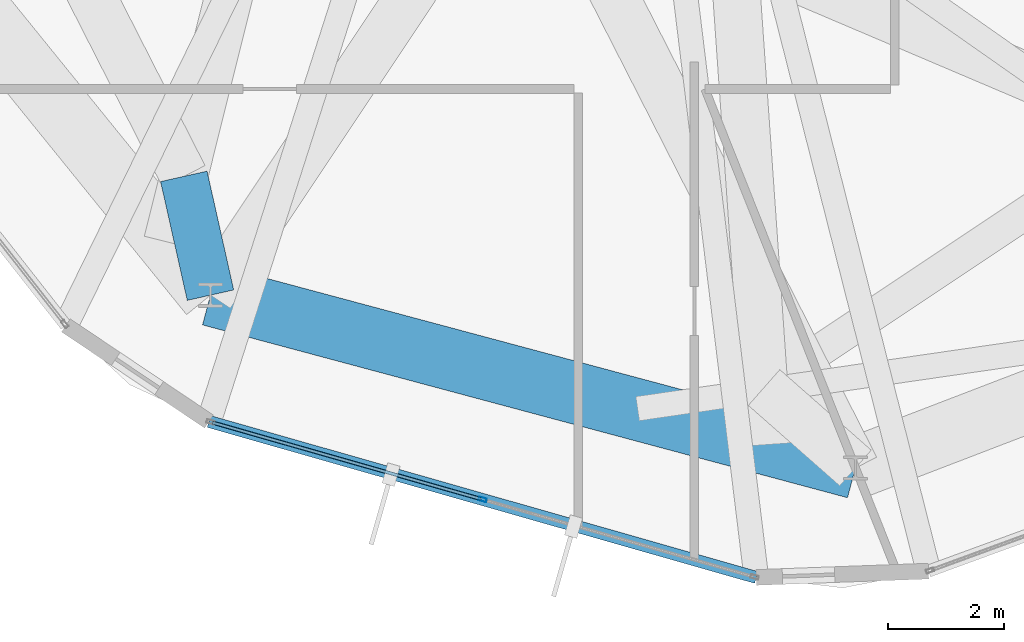
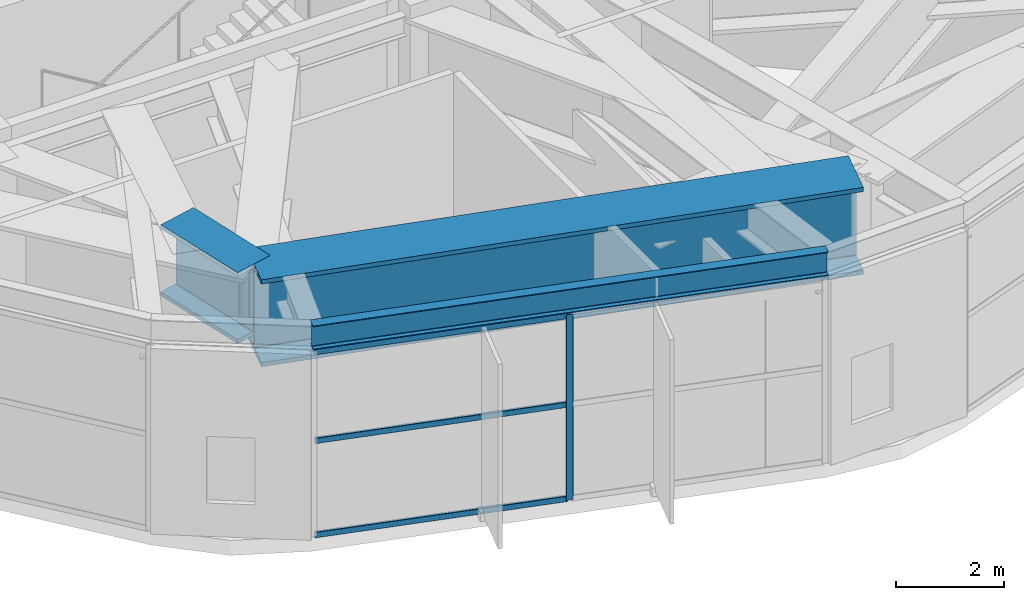
# One storey, part 3 of 30: 4 members, 3 beams, 1 element without a shape of its own.
"""IFC4 building model written with IfcOpenShell, lengths in metres."""

from ifc_helpers import new_model, si_unit, direction, frame, origin, origin_2d, place, context, subcontext, project, spatial, hollow_rectangle, i_section, extrude, material, layer, layer_set, material_profile, profile_set, type_object, element, aggregate, save


model = new_model("IFC4")

# Units and contexts
model_context = context("Model", 3, precision=1e-05, world=origin(), true_north=direction((0.0, 1.0)))
body_context = subcontext(model_context, "Body", "Model", "MODEL_VIEW")
ifc_project = project(units=[si_unit("LENGTHUNIT", "METRE"), si_unit("AREAUNIT", "SQUARE_METRE"), si_unit("VOLUMEUNIT", "CUBIC_METRE"), si_unit("PLANEANGLEUNIT", "RADIAN"), si_unit("MASSUNIT", "GRAM", prefix="KILO")], contexts=[model_context])

# Site, building, storey
site_placement = place(None, origin())
site = spatial("IfcSite", under=ifc_project, at=site_placement, CompositionType="ELEMENT")
building_placement = place(site_placement, origin())
building = spatial("IfcBuilding", under=site, at=building_placement, Name="Soratama Intermodal Tower", CompositionType="ELEMENT")
storey_placement = place(building_placement, frame((0.0, 0.0, 237.39990234375)))
storey = spatial("IfcBuildingStorey", under=building, at=storey_placement, Name="L60", CompositionType="ELEMENT", Elevation=237.39990234375)

# Beams
ifc_material_1 = material(Name="Structural steel ASTM A992 Grade 50", Category="steel")
ifc_material_profile_1 = material_profile(ifc_material_1, i_section(OverallWidth=0.2099609375, OverallDepth=0.537109375, WebThickness=0.010986328125, FlangeThickness=0.017333984375, FilletRadius=0.012939453125, at=origin_2d()), Name="W21X68")
ifc_profile_set_1 = profile_set([ifc_material_profile_1], Name="Structural steel ASTM A992 Grade 50")
beam_type_1 = type_object("IfcBeamType", Name="BM-SPN-W21X68", PredefinedType="SPANDREL", material=ifc_profile_set_1)
beam_1_placement = place(storey_placement, frame((34.843017578125, 7.22607421875, 4.531494140625), z_axis=(0.961719278491, -0.274036547525, 0.0), x_axis=(0.274036547525, 0.961719278491, 0.0)))
element("IfcBeam", 1, at=beam_1_placement, inside=storey, type_object=beam_type_1, Name="BS-L60-F06", PredefinedType="SPANDREL", context=body_context, shape_type="SweptSolid", body=[
    extrude(i_section(OverallWidth=0.2099609375, OverallDepth=0.537109375, WebThickness=0.010986328125, FlangeThickness=0.017333984375, FilletRadius=0.012939453125, at=origin_2d()), origin(), (0.0, 0.0, 1.0), 9.798095703125),
])
ifc_material_2 = material(Name="Structural steel ASTM A992 Grade 50", Category="steel")
ifc_material_profile_2 = material_profile(ifc_material_2, i_section(OverallWidth=0.820068359375, OverallDepth=1.60205078125, WebThickness=0.055908203125, FlangeThickness=0.092041015625, FilletRadius=0.02392578125, at=origin_2d()), Name="PG1600X650")
ifc_profile_set_2 = profile_set([ifc_material_profile_2], Name="Structural steel ASTM A992 Grade 50")
beam_type_2 = type_object("IfcBeamType", Name="BM-ZSTEP-PG1600", PredefinedType="BEAM", material=ifc_profile_set_2)
beam_2_placement = place(storey_placement, frame((34.8701171875, 9.40087890625, 3.9990234375), z_axis=(-0.219088127619, 0.975705074465, 0.0), x_axis=(-0.975705074465, -0.219088127619, 0.0)))
element("IfcBeam", 2, at=beam_2_placement, inside=storey, type_object=beam_type_2, Name="BM-L60-ZSTEP-A07", PredefinedType="BEAM", context=body_context, shape_type="SweptSolid", body=[
    extrude(i_section(OverallWidth=0.820068359375, OverallDepth=1.60205078125, WebThickness=0.055908203125, FlangeThickness=0.092041015625, FilletRadius=0.02392578125, at=origin_2d()), origin(), (0.0, 0.0, 1.0), 2.09619140625),
])
ifc_material_3 = material(Name="Structural steel ASTM A992 Grade 50", Category="steel")
ifc_material_profile_3 = material_profile(ifc_material_3, i_section(OverallWidth=1.06005859375, OverallDepth=1.9599609375, WebThickness=0.05810546875, FlangeThickness=0.095947265625, FilletRadius=0.02392578125, at=origin_2d()), Name="PG2400X900")
ifc_profile_set_3 = profile_set([ifc_material_profile_3], Name="Structural steel ASTM A992 Grade 50")
beam_type_3 = type_object("IfcBeamType", Name="BM-ZSTEP-PG2400", PredefinedType="BEAM", material=ifc_profile_set_3)
beam_3_placement = place(storey_placement, frame((34.8701171875, 9.40087890625, 3.820068359375), z_axis=(0.965928616227, -0.258808632687, 0.0), x_axis=(0.258808632687, 0.965928616227, 0.0)))
element("IfcBeam", 3, at=beam_3_placement, inside=storey, type_object=beam_type_3, Name="BM-L60-RING-07", PredefinedType="BEAM", context=body_context, shape_type="SweptSolid", body=[
    extrude(i_section(OverallWidth=1.06005859375, OverallDepth=1.9599609375, WebThickness=0.05810546875, FlangeThickness=0.095947265625, FilletRadius=0.02392578125, at=origin_2d()), origin(), (0.0, 0.0, 1.0), 11.494384765625),
])

# Curtain wall, members
ifc_material_4 = material(Name="Double-glazed aluminium curtain wall", Category="aluminium")
ifc_layer = layer(ifc_material_4, 0.159912109375)
ifc_layer_set = layer_set([ifc_layer], Name="Double-glazed aluminium curtain wall")
curtain_wall_type = type_object("IfcCurtainWallType", Name="CW-SYS-5", PredefinedType="NOTDEFINED", material=ifc_layer_set)
curtain_wall_placement = place(storey_placement, origin())
curtain_wall = element("IfcCurtainWall", 4, at=curtain_wall_placement, inside=storey, type_object=curtain_wall_type, Name="L60 Faceted Curtain Wall F06", PredefinedType="NOTDEFINED")
ifc_material_5 = material(Name="Anodised aluminium AA 6063-T6", Category="aluminium")
ifc_material_profile_4 = material_profile(ifc_material_5, hollow_rectangle(XDim=0.06494140625, YDim=0.139892578125, WallThickness=0.0048828125, InnerFilletRadius=0.0048828125, OuterFilletRadius=0.010009765625, at=origin_2d()), Name="CWM140X65X5")
ifc_profile_set_4 = profile_set([ifc_material_profile_4], Name="Anodised aluminium AA 6063-T6")
member_type_1 = type_object("IfcMemberType", Name="MT-CWM-5", PredefinedType="MULLION", material=ifc_profile_set_4)
member_1_placement = place(storey_placement, frame((39.554443359375, 5.88330078125, 0.0), z_axis=(0.0, 0.0, 1.0), x_axis=(0.273963449119, 0.96174010447, 0.0)))
member_1 = element("IfcMember", 5, at=member_1_placement, type_object=member_type_1, Name="CW-5 mullion 2", PredefinedType="MULLION", context=body_context, shape_type="SweptSolid", body=[
    extrude(hollow_rectangle(XDim=0.06494140625, YDim=0.139892578125, WallThickness=0.0048828125, InnerFilletRadius=0.0048828125, OuterFilletRadius=0.010009765625, at=origin_2d()), origin(), (0.0, 0.0, 1.0), 4.17919921875),
])
ifc_material_6 = material(Name="Anodised aluminium AA 6063-T6", Category="aluminium")
ifc_material_profile_5 = material_profile(ifc_material_6, hollow_rectangle(XDim=0.06005859375, YDim=0.1298828125, WallThickness=0.0048828125, InnerFilletRadius=0.0048828125, OuterFilletRadius=0.010009765625, at=origin_2d()), Name="CWT130X60X5")
ifc_profile_set_5 = profile_set([ifc_material_profile_5], Name="Anodised aluminium AA 6063-T6")
member_type_2 = type_object("IfcMemberType", Name="TT-CWT-2", PredefinedType="USERDEFINED", material=ifc_profile_set_5)
member_2_placement = place(storey_placement, frame((34.90087890625, 7.208984375, 0.030029296875), z_axis=(0.961742051916, -0.273956612582, 0.0), x_axis=(0.273956612582, 0.961742051916, 0.0)))
member_2 = element("IfcMember", 6, at=member_2_placement, type_object=member_type_2, Name="CW-5 transom 1.1", ObjectType="TRANSOM", PredefinedType="USERDEFINED", context=body_context, shape_type="SweptSolid", body=[
    extrude(hollow_rectangle(XDim=0.06005859375, YDim=0.1298828125, WallThickness=0.0048828125, InnerFilletRadius=0.0048828125, OuterFilletRadius=0.010009765625, at=origin_2d()), origin(), (0.0, 0.0, 1.0), 4.808837890625),
])
member_3_placement = place(storey_placement, frame((34.90087890625, 7.208984375, 2.150146484375), z_axis=(0.961742051916, -0.273956612582, 0.0), x_axis=(0.273956612582, 0.961742051916, 0.0)))
member_3 = element("IfcMember", 7, at=member_3_placement, type_object=member_type_2, Name="CW-5 transom 1.2", ObjectType="TRANSOM", PredefinedType="USERDEFINED", context=body_context, shape_type="SweptSolid", body=[
    extrude(hollow_rectangle(XDim=0.06005859375, YDim=0.1298828125, WallThickness=0.0048828125, InnerFilletRadius=0.0048828125, OuterFilletRadius=0.010009765625, at=origin_2d()), origin(), (0.0, 0.0, 1.0), 4.808837890625),
])
member_4_placement = place(storey_placement, frame((34.90087890625, 7.208984375, 4.149169921875), z_axis=(0.961742051916, -0.273956612582, 0.0), x_axis=(0.273956612582, 0.961742051916, 0.0)))
member_4 = element("IfcMember", 8, at=member_4_placement, type_object=member_type_2, Name="CW-5 transom 1.3", ObjectType="TRANSOM", PredefinedType="USERDEFINED", context=body_context, shape_type="SweptSolid", body=[
    extrude(hollow_rectangle(XDim=0.06005859375, YDim=0.1298828125, WallThickness=0.0048828125, InnerFilletRadius=0.0048828125, OuterFilletRadius=0.010009765625, at=origin_2d()), origin(), (0.0, 0.0, 1.0), 4.808837890625),
])
aggregate(curtain_wall, [member_1, member_2, member_3, member_4])

save(model, "model.ifc")
